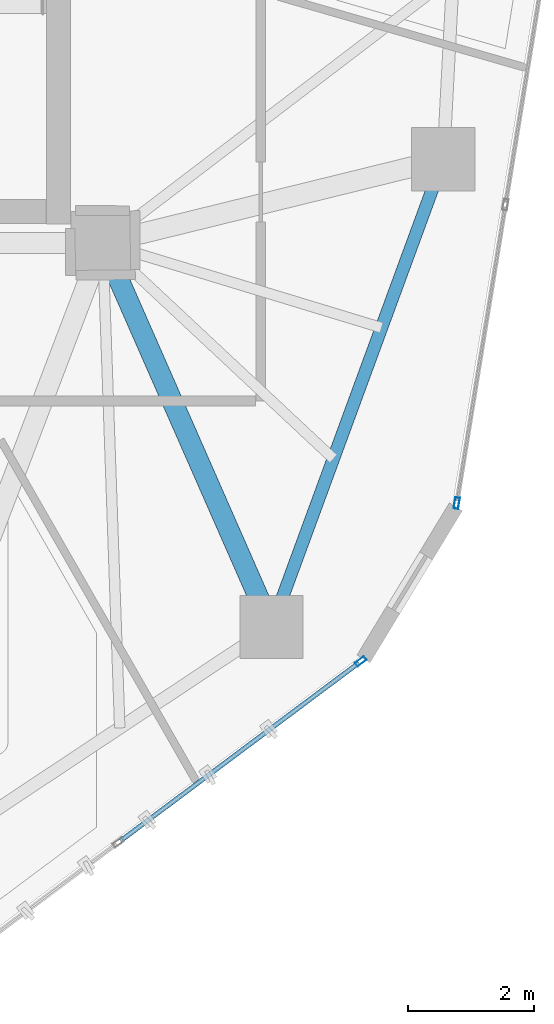
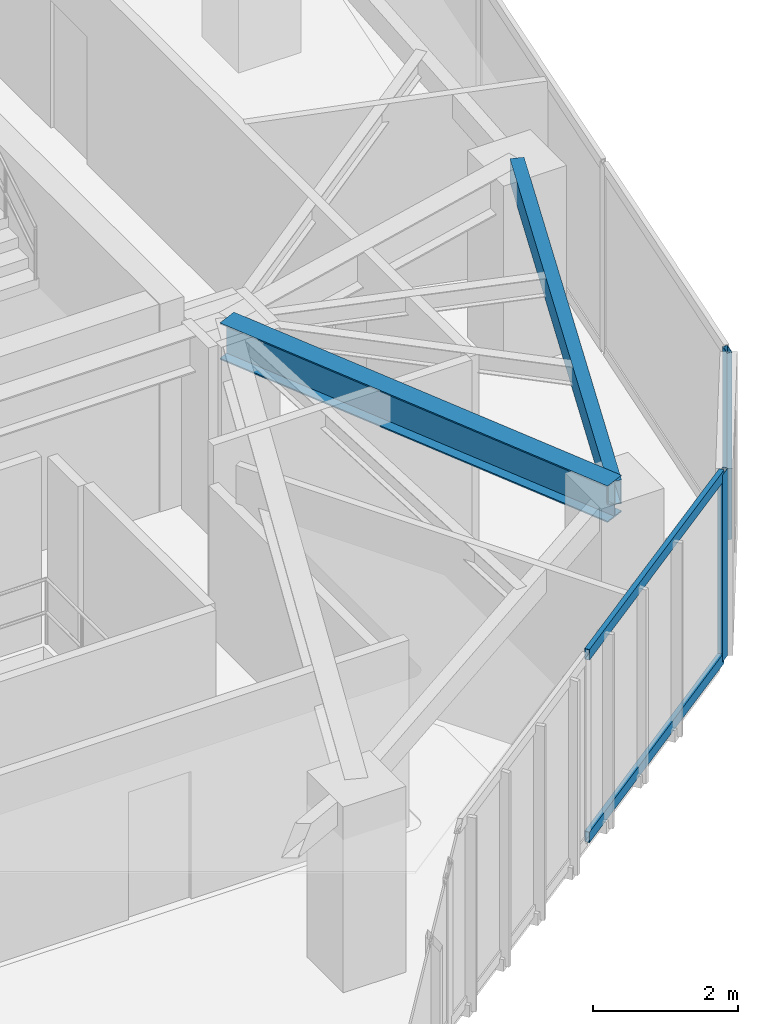
# One storey, part 6 of 20: 4 members, 2 beams, 2 elements without a shape of their own.
"""IFC4 building model written with IfcOpenShell, lengths in metres."""

import ifcopenshell
import ifcopenshell.guid

model = None  # the IFC model being written
_history = None  # IfcOwnerHistory: only IFC2X3 demands one
_inside = {}  # id of a spatial element -> (the spatial element, [elements in it])
_under = {}  # id of a project, library or spatial element -> (it, [spatial elements below it])
_declared = {}  # id of a project -> (the project, [libraries it declares])
_typed = {}  # id of a type object -> (the type object, [elements of that type])
_made_of = {}  # id of a material, layer set ... -> (it, [elements and type objects made of it])


def new_model(schema):
    """Start an empty IFC model of exactly this schema.

    Asked for "IFC4X3", IfcOpenShell would pick the latest addendum, in which some entities
    have other attributes; the version numbers below select the first issue.
    IFC2X3 requires an IfcOwnerHistory on every rooted entity: one is made here for all.
    """
    global model, _history
    if schema == "IFC4X3":
        model = ifcopenshell.file(schema_version=(4, 3, 0, 0))
    else:
        model = ifcopenshell.file(schema=schema)
    _inside.clear()
    _under.clear()
    _declared.clear()
    _typed.clear()
    _made_of.clear()
    _history = None
    if model.schema == "IFC2X3":
        org = make("IfcOrganization", Name="unknown")
        user = make(
            "IfcPersonAndOrganization",
            ThePerson=make("IfcPerson", FamilyName="unknown"),
            TheOrganization=org,
        )
        app = make(
            "IfcApplication",
            ApplicationDeveloper=org,
            Version="unknown",
            ApplicationFullName="unknown",
            ApplicationIdentifier="unknown",
        )
        _history = make(
            "IfcOwnerHistory",
            OwningUser=user,
            OwningApplication=app,
            ChangeAction="ADDED",
            CreationDate=0,
        )
    return model


def make(cls, **values):
    """One entity of the class cls with the attributes given. An attribute that is None is left unset."""
    return model.create_entity(
        cls, **{name: value for name, value in values.items() if value is not None}
    )


def rooted(cls, **values):
    """An entity with a GlobalId (a new one), such as an element, a storey or a relation."""
    return make(cls, GlobalId=ifcopenshell.guid.new(), OwnerHistory=_history, **values)


def si_unit(unit_type, name, prefix=None):
    """IfcSIUnit, for example si_unit("LENGTHUNIT", "METRE", prefix="MILLI")."""
    return make("IfcSIUnit", UnitType=unit_type, Prefix=prefix, Name=name)


def assignment(units):
    """IfcUnitAssignment: the units of a project."""
    return None if units is None else make("IfcUnitAssignment", Units=units)


def point(xyz):
    """IfcCartesianPoint."""
    return None if xyz is None else make("IfcCartesianPoint", Coordinates=xyz)


def direction(xyz):
    """IfcDirection."""
    return None if xyz is None else make("IfcDirection", DirectionRatios=xyz)


def frame(location, z_axis=None, x_axis=None):
    """IfcAxis2Placement3D, a coordinate frame: its origin and axes. An axis left out is left unset."""
    return make(
        "IfcAxis2Placement3D",
        Location=point(location),
        Axis=direction(z_axis),
        RefDirection=direction(x_axis),
    )


def frame_2d(location, x_axis=None):
    """IfcAxis2Placement2D, a coordinate frame in the plane: its origin and x axis."""
    return make(
        "IfcAxis2Placement2D", Location=point(location), RefDirection=direction(x_axis)
    )


def origin():
    """The frame at (0, 0, 0) with its axes left unset."""
    return frame((0.0, 0.0, 0.0))


def origin_2d():
    """The frame at (0, 0) in the plane with its x axis left unset."""
    return frame_2d((0.0, 0.0))


def place(relative_to, where):
    """IfcLocalPlacement: puts the frame where relative to a parent placement (None: the world)."""
    return make(
        "IfcLocalPlacement", PlacementRelTo=relative_to, RelativePlacement=where
    )


def context(
    kind, dimensions, precision=None, world=None, true_north=None, identifier=None
):
    """IfcGeometricRepresentationContext, for example the 3D "Model" context."""
    return make(
        "IfcGeometricRepresentationContext",
        ContextIdentifier=identifier,
        ContextType=kind,
        CoordinateSpaceDimension=dimensions,
        Precision=precision,
        WorldCoordinateSystem=world,
        TrueNorth=true_north,
    )


def subcontext(parent, identifier, kind, view, scale=None):
    """IfcGeometricRepresentationSubContext, for example "Body" below "Model"."""
    return make(
        "IfcGeometricRepresentationSubContext",
        ContextIdentifier=identifier,
        ContextType=kind,
        ParentContext=parent,
        TargetScale=scale,
        TargetView=view,
    )


def project(units=None, contexts=None):
    """IfcProject with its units and contexts."""
    return rooted(
        "IfcProject",
        Name="project",
        RepresentationContexts=contexts,
        UnitsInContext=assignment(units),
    )


def spatial(cls, under=None, at=None, **own):
    """A site, building, storey or space (cls), placed at a placement, below another one or the project."""
    s = rooted(cls, ObjectPlacement=at, **own)
    if under is not None:
        _under.setdefault(under.id(), (under, []))[1].append(s)
    return s


def profile(cls, at=None, kind="AREA", **sizes):
    """A parametric profile (cls). Its sizes go by their IFC names, for example OverallWidth=200.0."""
    return make(cls, ProfileType=kind, Position=at, **sizes)


def hollow_rectangle(**sizes):
    """IfcRectangleHollowProfileDef."""
    return profile("IfcRectangleHollowProfileDef", **sizes)


def i_section(**sizes):
    """IfcIShapeProfileDef."""
    return profile("IfcIShapeProfileDef", **sizes)


def extrude(swept, where, along, depth):
    """IfcExtrudedAreaSolid: the profile swept, set in the frame where, extruded along a direction by depth."""
    return make(
        "IfcExtrudedAreaSolid",
        SweptArea=swept,
        Position=where,
        ExtrudedDirection=direction(along),
        Depth=depth,
    )


def shape(context_of_items, identifier, shape_type, items):
    """IfcShapeRepresentation: the items that make up one representation, for example the "Body"."""
    return make(
        "IfcShapeRepresentation",
        ContextOfItems=context_of_items,
        RepresentationIdentifier=identifier,
        RepresentationType=shape_type,
        Items=items,
    )


def source(mapping_origin, context_of_items, identifier, shape_type, items):
    """IfcRepresentationMap: a shape defined once, which mapped items show again and again."""
    return make(
        "IfcRepresentationMap",
        MappingOrigin=mapping_origin,
        MappedRepresentation=shape(context_of_items, identifier, shape_type, items),
    )


def transform(
    local_origin,
    x_axis=None,
    y_axis=None,
    z_axis=None,
    scale=None,
    scale2=None,
    scale3=None,
    uniform=True,
):
    """IfcCartesianTransformationOperator3D, or its non-uniform kind. x_axis, y_axis, z_axis: its Axis1, 2, 3."""
    if uniform:
        return make(
            "IfcCartesianTransformationOperator3D",
            Axis1=direction(x_axis),
            Axis2=direction(y_axis),
            LocalOrigin=point(local_origin),
            Scale=scale,
            Axis3=direction(z_axis),
        )
    return make(
        "IfcCartesianTransformationOperator3DnonUniform",
        Axis1=direction(x_axis),
        Axis2=direction(y_axis),
        LocalOrigin=point(local_origin),
        Scale=scale,
        Axis3=direction(z_axis),
        Scale2=scale2,
        Scale3=scale3,
    )


def mapped(mapping_source, mapping_target):
    """IfcMappedItem: shows the shape of a source again, moved by a transform."""
    return make(
        "IfcMappedItem", MappingSource=mapping_source, MappingTarget=mapping_target
    )


def material(Name=None, Category=None):
    """IfcMaterial."""
    return make("IfcMaterial", Name=Name, Category=Category)


def layer(
    of_material, thickness, ventilated=None, Name=None, Category=None, Priority=None
):
    """IfcMaterialLayer: one layer of a wall or slab, of a material (None: an air gap)."""
    return make(
        "IfcMaterialLayer",
        Material=of_material,
        LayerThickness=thickness,
        IsVentilated=ventilated,
        Name=Name,
        Category=Category,
        Priority=Priority,
    )


def layer_set(layers, Name=None):
    """IfcMaterialLayerSet."""
    return make("IfcMaterialLayerSet", MaterialLayers=layers, LayerSetName=Name)


def material_profile(
    of_material, cross_section, Name=None, Category=None, Priority=None
):
    """IfcMaterialProfile: a cross section and its material."""
    return make(
        "IfcMaterialProfile",
        Name=Name,
        Material=of_material,
        Profile=cross_section,
        Priority=Priority,
        Category=Category,
    )


def profile_set(profiles, Name=None, composite=None):
    """IfcMaterialProfileSet."""
    return make(
        "IfcMaterialProfileSet",
        Name=Name,
        MaterialProfiles=profiles,
        CompositeProfile=composite,
    )


def made_of(thing, what):
    """Note that an element or type object is made of a material, layer set ...; save() writes the relation."""
    if what is not None:
        _made_of.setdefault(what.id(), (what, []))[1].append(thing)
    return thing


def type_object(cls, material=None, **own):
    """A type object (cls), such as IfcWallType, which elements share."""
    return made_of(rooted(cls, **own), material)


def type_shapes(of_type, sources):
    """Give a type object the sources (RepresentationMaps) that its elements show as mapped items."""
    of_type.RepresentationMaps = sources


def element(
    cls,
    number,
    at=None,
    inside=None,
    cuts=None,
    type_object=None,
    material=None,
    context=None,
    identifier="Body",
    shape_type=None,
    held_by="IfcProductDefinitionShape",
    body=None,
    shapes=None,
    **own,
):
    """One element of the class cls, such as IfcWall. Its Tag is "e" and its number.

    at: its placement. inside: the storey or other place that contains it. cuts: it is an
    opening in that element (IfcRelVoidsElement). A single representation is given by context,
    identifier, shape_type and body (its items); several are given by shapes. held_by: the class
    of the entity that holds the representations. save() writes the other relations.
    """
    e = rooted(cls, Tag="e%d" % number, ObjectPlacement=at, **own)
    if body is not None:
        shapes = [shape(context, identifier, shape_type, body)]
    if shapes is not None:
        e.Representation = make(held_by, Representations=shapes)
    if inside is not None:
        _inside.setdefault(inside.id(), (inside, []))[1].append(e)
    if cuts is not None:
        rooted(
            "IfcRelVoidsElement", RelatingBuildingElement=cuts, RelatedOpeningElement=e
        )
    if type_object is not None:
        _typed.setdefault(type_object.id(), (type_object, []))[1].append(e)
    return made_of(e, material)


def aggregate(whole, parts):
    """IfcRelAggregates: a whole, such as a stair, and the parts it consists of."""
    return rooted("IfcRelAggregates", RelatingObject=whole, RelatedObjects=parts)


def save(model, path):
    """Write the relations noted so far, then the file.

    IfcRelAggregates (storeys below a building ...), IfcRelContainedInSpatialStructure (elements
    in a storey), IfcRelDefinesByType, IfcRelAssociatesMaterial and IfcRelDeclares: one each for
    every whole, place, type object, material and project.
    """
    for whole, parts in _under.values():
        aggregate(whole, parts)
    for where, things in _inside.values():
        rooted(
            "IfcRelContainedInSpatialStructure",
            RelatedElements=things,
            RelatingStructure=where,
        )
    for kind, things in _typed.values():
        rooted("IfcRelDefinesByType", RelatedObjects=things, RelatingType=kind)
    for what, things in _made_of.values():
        rooted("IfcRelAssociatesMaterial", RelatedObjects=things, RelatingMaterial=what)
    for by, libraries in _declared.values():
        rooted("IfcRelDeclares", RelatingContext=by, RelatedDefinitions=libraries)
    model.write(path)


model = new_model("IFC4")

# Units and contexts
model_context = context("Model", 3, precision=1e-05, world=origin(), true_north=direction((0.0, 1.0)))
body_context = subcontext(model_context, "Body", "Model", "MODEL_VIEW")
ifc_project = project(units=[si_unit("LENGTHUNIT", "METRE"), si_unit("AREAUNIT", "SQUARE_METRE"), si_unit("VOLUMEUNIT", "CUBIC_METRE"), si_unit("PLANEANGLEUNIT", "RADIAN"), si_unit("MASSUNIT", "GRAM", prefix="KILO")], contexts=[model_context])

# Site, building, storey
site_placement = place(None, origin())
site = spatial("IfcSite", under=ifc_project, at=site_placement, CompositionType="ELEMENT")
building_placement = place(site_placement, origin())
building = spatial("IfcBuilding", under=site, at=building_placement, Name="Talar Marvaseh", CompositionType="ELEMENT")
storey_placement = place(building_placement, frame((0.0, 0.0, 198.5)))
storey = spatial("IfcBuildingStorey", under=building, at=storey_placement, Name="L52", CompositionType="ELEMENT", Elevation=198.5)

# Beams
ifc_material_1 = material(Name="Steel S355", Category="steel")
ifc_material_profile_1 = material_profile(ifc_material_1, hollow_rectangle(XDim=0.199951171875, YDim=0.39990234375, WallThickness=0.013916015625, at=origin_2d()), Name="RHS400x200x14")
ifc_profile_set_1 = profile_set([ifc_material_profile_1], Name="Steel S355")
beam_type_1 = type_object("IfcBeamType", Name="Zone 3 Perimeter Spandrel Beam RHS400x200x14", PredefinedType="SPANDREL", material=ifc_profile_set_1)
beam_1_placement = place(storey_placement, frame((38.68896484375, 26.823974609375, 2.949951171875), z_axis=(-0.344742291376, -0.938697370049, 0.0), x_axis=(0.938697370049, -0.344742291376, 0.0)))
element("IfcBeam", 1, at=beam_1_placement, inside=storey, type_object=beam_type_1, Name="L52 Zone 3 Perimeter Spandrel Beam RHS400x200x14", PredefinedType="SPANDREL", context=body_context, shape_type="SweptSolid", body=[
    extrude(hollow_rectangle(XDim=0.199951171875, YDim=0.39990234375, WallThickness=0.013916015625, at=origin_2d()), origin(), (0.0, 0.0, 1.0), 7.88427734375),
])
ifc_material_profile_2 = material_profile(ifc_material_1, i_section(OverallWidth=0.324951171875, OverallDepth=0.615966796875, WebThickness=0.013916015625, FlangeThickness=0.021484375, at=origin_2d()), Name="W610x174")
ifc_profile_set_2 = profile_set([ifc_material_profile_2], Name="Steel S355")
beam_type_2 = type_object("IfcBeamType", Name="Zone 3 Radial Floor Girder W610x174", PredefinedType="BEAM", material=ifc_profile_set_2)
beam_2_placement = place(storey_placement, frame((35.970947265625, 19.423095703125, 2.842041015625), z_axis=(-0.402367581672, 0.91547819702, 0.0), x_axis=(-0.91547819702, -0.402367581672, 0.0)))
element("IfcBeam", 2, at=beam_2_placement, inside=storey, type_object=beam_type_2, Name="L52 Zone 3 Radial Floor Girder W610x174", PredefinedType="BEAM", context=body_context, shape_type="SweptSolid", body=[
    extrude(i_section(OverallWidth=0.324951171875, OverallDepth=0.615966796875, WebThickness=0.013916015625, FlangeThickness=0.021484375, at=origin_2d()), origin(), (0.0, 0.0, 1.0), 6.637939453125),
])

# Curtain wall, members
ifc_material_2 = material(Name="Architectural Aluminium", Category="aluminium")
ifc_layer = layer(ifc_material_2, 0.18994140625)
ifc_layer_set = layer_set([ifc_layer], Name="Architectural Aluminium")
curtain_wall_type = type_object("IfcCurtainWallType", Name="Unitised Solar Atelier Curtain Wall Z3", PredefinedType="NOTDEFINED", material=ifc_layer_set)
curtain_wall_1_placement = place(storey_placement, origin())
curtain_wall_1 = element("IfcCurtainWall", 3, at=curtain_wall_1_placement, inside=storey, type_object=curtain_wall_type, Name="L52 Unitised Solar Atelier Curtain Wall Z3", PredefinedType="NOTDEFINED")
ifc_material_profile_3 = material_profile(ifc_material_2, hollow_rectangle(XDim=0.074951171875, YDim=0.179931640625, WallThickness=0.0048828125, at=origin_2d()), Name="RHS180x75x5")
ifc_profile_set_3 = profile_set([ifc_material_profile_3], Name="Architectural Aluminium")
member_type_1 = type_object("IfcMemberType", Name="Unitised Curtain Wall Transom RHS180x75x5", PredefinedType="USERDEFINED", material=ifc_profile_set_3)
shared_shape_1 = source(origin(), body_context, "Body", "SweptSolid", [
    extrude(hollow_rectangle(XDim=0.074951171875, YDim=0.179931640625, WallThickness=0.0048828125, at=origin_2d()), origin(), (0.0, 0.0, 1.0), 4.70947265625),
])
type_shapes(member_type_1, [shared_shape_1])
member_1_placement = place(storey_placement, frame((37.3515625, 18.857666015625, 0.03759765625), z_axis=(-0.801174176199, -0.598431231966, 0.0), x_axis=(0.598431231966, -0.801174176199, 0.0)))
member_1 = element("IfcMember", 4, at=member_1_placement, type_object=member_type_1, Name="CW-Z3 transom 1.1", ObjectType="TRANSOM", PredefinedType="USERDEFINED", context=body_context, shape_type="MappedRepresentation", body=[
    mapped(shared_shape_1, transform((0.0, 0.0, 0.0), x_axis=(1.0, 0.0, 0.0), y_axis=(0.0, 1.0, 0.0), z_axis=(0.0, 0.0, 1.0), scale=1.0)),
])
member_2_placement = place(storey_placement, frame((37.3515625, 18.857666015625, 3.112548828125), z_axis=(-0.801174176199, -0.598431231966, 0.0), x_axis=(0.598431231966, -0.801174176199, 0.0)))
member_2 = element("IfcMember", 5, at=member_2_placement, type_object=member_type_1, Name="CW-Z3 transom 1.2", ObjectType="TRANSOM", PredefinedType="USERDEFINED", context=body_context, shape_type="MappedRepresentation", body=[
    mapped(shared_shape_1, transform((0.0, 0.0, 0.0), x_axis=(1.0, 0.0, 0.0), y_axis=(0.0, 1.0, 0.0), z_axis=(0.0, 0.0, 1.0), scale=1.0)),
])

# Curtain wall, member
curtain_wall_2_placement = place(storey_placement, origin())
curtain_wall_2 = element("IfcCurtainWall", 6, at=curtain_wall_2_placement, inside=storey, type_object=curtain_wall_type, Name="L52 Unitised Solar Atelier Curtain Wall Z3", PredefinedType="NOTDEFINED")
ifc_material_profile_4 = material_profile(ifc_material_2, hollow_rectangle(XDim=0.074951171875, YDim=0.179931640625, WallThickness=0.0048828125, at=origin_2d()), Name="RHS180x75x5")
ifc_profile_set_4 = profile_set([ifc_material_profile_4], Name="Architectural Aluminium")
member_type_2 = type_object("IfcMemberType", Name="Unitised Curtain Wall Standard Mullion RHS180x75x5", PredefinedType="MULLION", material=ifc_profile_set_4)
shared_shape_2 = source(origin(), body_context, "Body", "SweptSolid", [
    extrude(hollow_rectangle(XDim=0.074951171875, YDim=0.179931640625, WallThickness=0.0048828125, at=origin_2d()), origin(), (0.0, 0.0, 1.0), 3.14990234375),
])
type_shapes(member_type_2, [shared_shape_2])
member_3_placement = place(storey_placement, frame((38.9013671875, 21.384521484375, 0.0), z_axis=(0.0, 0.0, 1.0), x_axis=(0.986971316934, -0.160896300608, 0.0)))
member_3 = element("IfcMember", 7, at=member_3_placement, type_object=member_type_2, Name="CW-Z3 mullion 5", PredefinedType="MULLION", context=body_context, shape_type="MappedRepresentation", body=[
    mapped(shared_shape_2, transform((0.0, 0.0, 0.0), x_axis=(1.0, 0.0, 0.0), y_axis=(0.0, 1.0, 0.0), z_axis=(0.0, 0.0, 1.0), scale=1.0)),
])
aggregate(curtain_wall_2, [member_3])

# Member
member_4_placement = place(storey_placement, frame((37.381591796875, 18.880126953125, 0.0), z_axis=(0.0, 0.0, 1.0), x_axis=(0.598447667514, -0.801161899523, 0.0)))
member_4 = element("IfcMember", 8, at=member_4_placement, type_object=member_type_2, Name="CW-Z3 mullion 1", PredefinedType="MULLION", context=body_context, shape_type="MappedRepresentation", body=[
    mapped(shared_shape_2, transform((0.0, 0.0, 0.0), x_axis=(1.0, 0.0, 0.0), y_axis=(0.0, 1.0, 0.0), z_axis=(0.0, 0.0, 1.0), scale=1.0)),
])

aggregate(curtain_wall_1, [member_4, member_1, member_2])

save(model, "model.ifc")
